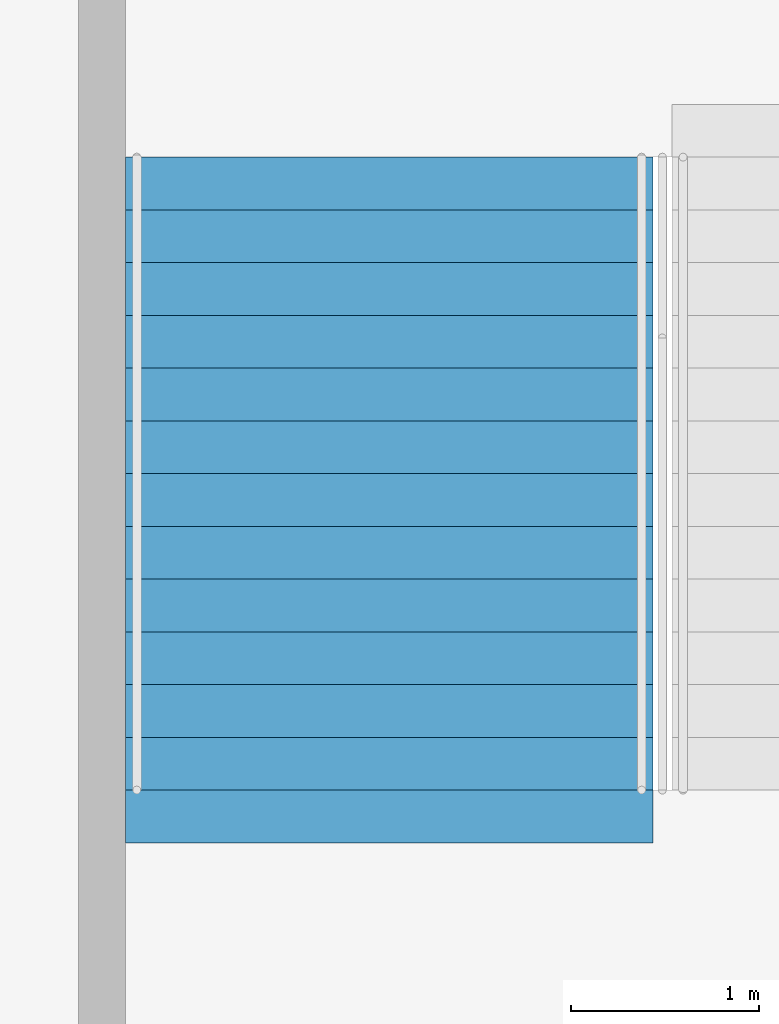
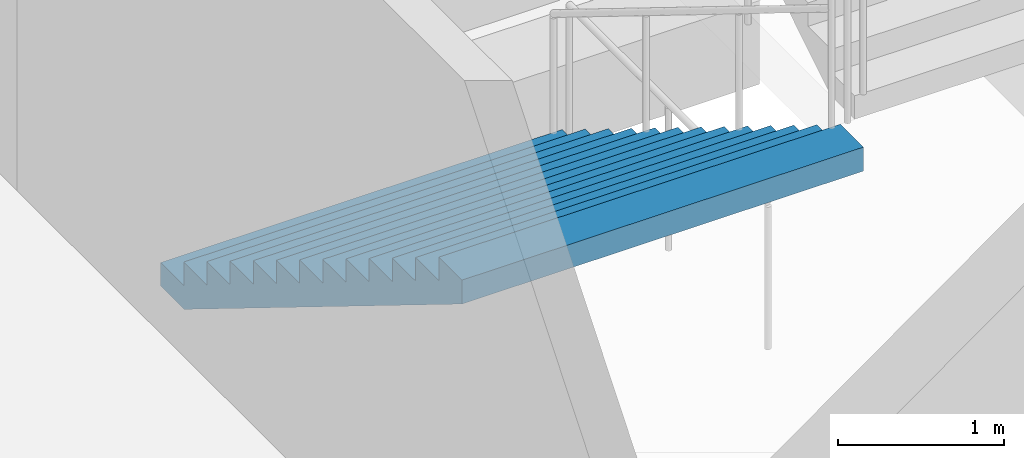
# One storey, part 89 of 177: 1 stair flight, 1 element without a shape of its own.
"""IFC4 building model written with IfcOpenShell, lengths in metres."""

from ifc_helpers import new_model, si_unit, direction, frame, origin, place, context, subcontext, project, spatial, faceted_brep, material, type_object, element, aggregate, save


model = new_model("IFC4")

# Units and contexts
model_context = context("Model", 3, precision=1e-05, world=origin(), true_north=direction((0.0, 1.0)))
body_context = subcontext(model_context, "Body", "Model", "MODEL_VIEW")
ifc_project = project(units=[si_unit("LENGTHUNIT", "METRE"), si_unit("AREAUNIT", "SQUARE_METRE"), si_unit("VOLUMEUNIT", "CUBIC_METRE"), si_unit("PLANEANGLEUNIT", "RADIAN"), si_unit("MASSUNIT", "GRAM", prefix="KILO")], contexts=[model_context])

# Site, building, storey
site_placement = place(None, origin())
site = spatial("IfcSite", under=ifc_project, at=site_placement, CompositionType="ELEMENT")
building_placement = place(site_placement, origin())
building = spatial("IfcBuilding", under=site, at=building_placement, Name="Ogive Plaza Stadium", CompositionType="ELEMENT")
storey_placement = place(building_placement, frame((0.0, 0.0, 18.0)))
storey = spatial("IfcBuildingStorey", under=building, at=storey_placement, Name="L04", CompositionType="ELEMENT", Elevation=18.0)

# Stair, stair flight
ifc_material_1 = material(Name="Concrete C40/50", Category="concrete")
stair_type = type_object("IfcStairType", Name="Exit stair", PredefinedType="STRAIGHT_RUN_STAIR", material=ifc_material_1)
stair_placement = place(storey_placement, origin())
stair = element("IfcStair", 1, at=stair_placement, inside=storey, type_object=stair_type, Name="Exit stair ST16A L04 to L05", PredefinedType="STRAIGHT_RUN_STAIR")
ifc_material_2 = material(Name="Concrete C40/50", Category="concrete")
stair_flight_type = type_object("IfcStairFlightType", Name="Exit stair flight", PredefinedType="STRAIGHT", material=ifc_material_2)
stair_flight_placement = place(storey_placement, frame((-24.824951171875, -94.85009765625, 0.0), z_axis=(0.0, 0.0, 1.0), x_axis=(0.0, -1.0, 0.0)))
stair_flight = element("IfcStairFlight", 2, at=stair_flight_placement, type_object=stair_flight_type, Name="ST16A flight 1", NumberOfRisers=13, NumberOfTreads=12, PredefinedType="STRAIGHT", RiserHeight=0.173076923, TreadLength=0.28, context=body_context, shape_type="Brep", body=[
    faceted_brep([(0.28515625, -1.39990234375, 0.0), (3.639892578125, -1.39990234375, 2.07373046875), (3.639892578125, -1.39990234375, 2.25), (3.360107421875, -1.39990234375, 2.25), (3.360107421875, -1.39990234375, 2.076904296875), (3.080078125, -1.39990234375, 2.076904296875), (3.080078125, -1.39990234375, 1.90380859375), (2.800048828125, -1.39990234375, 1.90380859375), (2.800048828125, -1.39990234375, 1.730712890625), (2.52001953125, -1.39990234375, 1.730712890625), (2.52001953125, -1.39990234375, 1.5576171875), (2.239990234375, -1.39990234375, 1.5576171875), (2.239990234375, -1.39990234375, 1.384521484375), (1.9599609375, -1.39990234375, 1.384521484375), (1.9599609375, -1.39990234375, 1.21142578125), (1.679931640625, -1.39990234375, 1.21142578125), (1.679931640625, -1.39990234375, 1.03857421875), (1.39990234375, -1.39990234375, 1.03857421875), (1.39990234375, -1.39990234375, 0.865478515625), (1.1201171875, -1.39990234375, 0.865478515625), (1.1201171875, -1.39990234375, 0.6923828125), (0.840087890625, -1.39990234375, 0.6923828125), (0.840087890625, -1.39990234375, 0.519287109375), (0.56005859375, -1.39990234375, 0.519287109375), (0.56005859375, -1.39990234375, 0.34619140625), (0.280029296875, -1.39990234375, 0.34619140625), (0.280029296875, -1.39990234375, 0.173095703125), (0.0, -1.39990234375, 0.173095703125), (0.0, -1.39990234375, 0.0), (0.0, 1.39990234375, 0.0), (0.0, 1.39990234375, 0.173095703125), (0.280029296875, 1.39990234375, 0.173095703125), (0.280029296875, 1.39990234375, 0.34619140625), (0.56005859375, 1.39990234375, 0.34619140625), (0.56005859375, 1.39990234375, 0.519287109375), (0.840087890625, 1.39990234375, 0.519287109375), (0.840087890625, 1.39990234375, 0.6923828125), (1.1201171875, 1.39990234375, 0.6923828125), (1.1201171875, 1.39990234375, 0.865478515625), (1.39990234375, 1.39990234375, 0.865478515625), (1.39990234375, 1.39990234375, 1.03857421875), (1.679931640625, 1.39990234375, 1.03857421875), (1.679931640625, 1.39990234375, 1.21142578125), (1.9599609375, 1.39990234375, 1.21142578125), (1.9599609375, 1.39990234375, 1.384521484375), (2.239990234375, 1.39990234375, 1.384521484375), (2.239990234375, 1.39990234375, 1.5576171875), (2.52001953125, 1.39990234375, 1.5576171875), (2.52001953125, 1.39990234375, 1.730712890625), (2.800048828125, 1.39990234375, 1.730712890625), (2.800048828125, 1.39990234375, 1.90380859375), (3.080078125, 1.39990234375, 1.90380859375), (3.080078125, 1.39990234375, 2.076904296875), (3.360107421875, 1.39990234375, 2.076904296875), (3.360107421875, 1.39990234375, 2.25), (3.639892578125, 1.39990234375, 2.25), (3.639892578125, 1.39990234375, 2.07373046875), (0.28515625, 1.39990234375, 0.0), (0.28515625, -1.0888671875, 0.0), (3.639892578125, -1.0888671875, 2.07373046875), (0.28515625, -0.77783203125, 0.0), (3.639892578125, -0.77783203125, 2.07373046875), (0.28515625, -0.466796875, 0.0), (3.639892578125, -0.466796875, 2.07373046875), (0.28515625, -0.155517578125, 0.0), (3.639892578125, -0.155517578125, 2.07373046875), (0.28515625, 0.155517578125, 0.0), (3.639892578125, 0.155517578125, 2.07373046875), (0.28515625, 0.466796875, 0.0), (3.639892578125, 0.466796875, 2.07373046875), (0.28515625, 0.77783203125, 0.0), (3.639892578125, 0.77783203125, 2.07373046875), (0.28515625, 1.0888671875, 0.0), (3.639892578125, 1.0888671875, 2.07373046875), (3.639892578125, -1.0888671875, 2.25), (3.639892578125, -0.77783203125, 2.25), (3.639892578125, -0.466796875, 2.25), (3.639892578125, -0.155517578125, 2.25), (3.639892578125, 0.155517578125, 2.25), (3.639892578125, 0.466796875, 2.25), (3.639892578125, 0.77783203125, 2.25), (3.639892578125, 1.0888671875, 2.25), (3.360107421875, -1.0888671875, 2.25), (3.360107421875, -0.77783203125, 2.25), (3.360107421875, -0.466796875, 2.25), (3.360107421875, -0.155517578125, 2.25), (3.360107421875, 0.155517578125, 2.25), (3.360107421875, 0.466796875, 2.25), (3.360107421875, 0.77783203125, 2.25), (3.360107421875, 1.0888671875, 2.25), (3.360107421875, -1.0888671875, 2.076904296875), (3.360107421875, -0.77783203125, 2.076904296875), (3.360107421875, -0.466796875, 2.076904296875), (3.360107421875, -0.155517578125, 2.076904296875), (3.360107421875, 0.155517578125, 2.076904296875), (3.360107421875, 0.466796875, 2.076904296875), (3.360107421875, 0.77783203125, 2.076904296875), (3.360107421875, 1.0888671875, 2.076904296875), (3.080078125, -1.0888671875, 2.076904296875), (3.080078125, -0.77783203125, 2.076904296875), (3.080078125, -0.466796875, 2.076904296875), (3.080078125, -0.155517578125, 2.076904296875), (3.080078125, 0.155517578125, 2.076904296875), (3.080078125, 0.466796875, 2.076904296875), (3.080078125, 0.77783203125, 2.076904296875), (3.080078125, 1.0888671875, 2.076904296875), (3.080078125, -1.0888671875, 1.90380859375), (3.080078125, -0.77783203125, 1.90380859375), (3.080078125, -0.466796875, 1.90380859375), (3.080078125, -0.155517578125, 1.90380859375), (3.080078125, 0.155517578125, 1.90380859375), (3.080078125, 0.466796875, 1.90380859375), (3.080078125, 0.77783203125, 1.90380859375), (3.080078125, 1.0888671875, 1.90380859375), (2.800048828125, -1.0888671875, 1.90380859375), (2.800048828125, -0.77783203125, 1.90380859375), (2.800048828125, -0.466796875, 1.90380859375), (2.800048828125, -0.155517578125, 1.90380859375), (2.800048828125, 0.155517578125, 1.90380859375), (2.800048828125, 0.466796875, 1.90380859375), (2.800048828125, 0.77783203125, 1.90380859375), (2.800048828125, 1.0888671875, 1.90380859375), (2.800048828125, -1.0888671875, 1.730712890625), (2.800048828125, -0.77783203125, 1.730712890625), (2.800048828125, -0.466796875, 1.730712890625), (2.800048828125, -0.155517578125, 1.730712890625), (2.800048828125, 0.155517578125, 1.730712890625), (2.800048828125, 0.466796875, 1.730712890625), (2.800048828125, 0.77783203125, 1.730712890625), (2.800048828125, 1.0888671875, 1.730712890625), (2.52001953125, -1.0888671875, 1.730712890625), (2.52001953125, -0.77783203125, 1.730712890625), (2.52001953125, -0.466796875, 1.730712890625), (2.52001953125, -0.155517578125, 1.730712890625), (2.52001953125, 0.155517578125, 1.730712890625), (2.52001953125, 0.466796875, 1.730712890625), (2.52001953125, 0.77783203125, 1.730712890625), (2.52001953125, 1.0888671875, 1.730712890625), (2.52001953125, -1.0888671875, 1.5576171875), (2.52001953125, -0.77783203125, 1.5576171875), (2.52001953125, -0.466796875, 1.5576171875), (2.52001953125, -0.155517578125, 1.5576171875), (2.52001953125, 0.155517578125, 1.5576171875), (2.52001953125, 0.466796875, 1.5576171875), (2.52001953125, 0.77783203125, 1.5576171875), (2.52001953125, 1.0888671875, 1.5576171875), (2.239990234375, -1.0888671875, 1.5576171875), (2.239990234375, -0.77783203125, 1.5576171875), (2.239990234375, -0.466796875, 1.5576171875), (2.239990234375, -0.155517578125, 1.5576171875), (2.239990234375, 0.155517578125, 1.5576171875), (2.239990234375, 0.466796875, 1.5576171875), (2.239990234375, 0.77783203125, 1.5576171875), (2.239990234375, 1.0888671875, 1.5576171875), (2.239990234375, -1.0888671875, 1.384521484375), (2.239990234375, -0.77783203125, 1.384521484375), (2.239990234375, -0.466796875, 1.384521484375), (2.239990234375, -0.155517578125, 1.384521484375), (2.239990234375, 0.155517578125, 1.384521484375), (2.239990234375, 0.466796875, 1.384521484375), (2.239990234375, 0.77783203125, 1.384521484375), (2.239990234375, 1.0888671875, 1.384521484375), (1.9599609375, -1.0888671875, 1.384521484375), (1.9599609375, -0.77783203125, 1.384521484375), (1.9599609375, -0.466796875, 1.384521484375), (1.9599609375, -0.155517578125, 1.384521484375), (1.9599609375, 0.155517578125, 1.384521484375), (1.9599609375, 0.466796875, 1.384521484375), (1.9599609375, 0.77783203125, 1.384521484375), (1.9599609375, 1.0888671875, 1.384521484375), (1.9599609375, -1.0888671875, 1.21142578125), (1.9599609375, -0.77783203125, 1.21142578125), (1.9599609375, -0.466796875, 1.21142578125), (1.9599609375, -0.155517578125, 1.21142578125), (1.9599609375, 0.155517578125, 1.21142578125), (1.9599609375, 0.466796875, 1.21142578125), (1.9599609375, 0.77783203125, 1.21142578125), (1.9599609375, 1.0888671875, 1.21142578125), (1.679931640625, -1.0888671875, 1.21142578125), (1.679931640625, -0.77783203125, 1.21142578125), (1.679931640625, -0.466796875, 1.21142578125), (1.679931640625, -0.155517578125, 1.21142578125), (1.679931640625, 0.155517578125, 1.21142578125), (1.679931640625, 0.466796875, 1.21142578125), (1.679931640625, 0.77783203125, 1.21142578125), (1.679931640625, 1.0888671875, 1.21142578125), (1.679931640625, -1.0888671875, 1.03857421875), (1.679931640625, -0.77783203125, 1.03857421875), (1.679931640625, -0.466796875, 1.03857421875), (1.679931640625, -0.155517578125, 1.03857421875), (1.679931640625, 0.155517578125, 1.03857421875), (1.679931640625, 0.466796875, 1.03857421875), (1.679931640625, 0.77783203125, 1.03857421875), (1.679931640625, 1.0888671875, 1.03857421875), (1.39990234375, -1.0888671875, 1.03857421875), (1.39990234375, -0.77783203125, 1.03857421875), (1.39990234375, -0.466796875, 1.03857421875), (1.39990234375, -0.155517578125, 1.03857421875), (1.39990234375, 0.155517578125, 1.03857421875), (1.39990234375, 0.466796875, 1.03857421875), (1.39990234375, 0.77783203125, 1.03857421875), (1.39990234375, 1.0888671875, 1.03857421875), (1.39990234375, -1.0888671875, 0.865478515625), (1.39990234375, -0.77783203125, 0.865478515625), (1.39990234375, -0.466796875, 0.865478515625), (1.39990234375, -0.155517578125, 0.865478515625), (1.39990234375, 0.155517578125, 0.865478515625), (1.39990234375, 0.466796875, 0.865478515625), (1.39990234375, 0.77783203125, 0.865478515625), (1.39990234375, 1.0888671875, 0.865478515625), (1.1201171875, -1.0888671875, 0.865478515625), (1.1201171875, -0.77783203125, 0.865478515625), (1.1201171875, -0.466796875, 0.865478515625), (1.1201171875, -0.155517578125, 0.865478515625), (1.1201171875, 0.155517578125, 0.865478515625), (1.1201171875, 0.466796875, 0.865478515625), (1.1201171875, 0.77783203125, 0.865478515625), (1.1201171875, 1.0888671875, 0.865478515625), (1.1201171875, -1.0888671875, 0.6923828125), (1.1201171875, -0.77783203125, 0.6923828125), (1.1201171875, -0.466796875, 0.6923828125), (1.1201171875, -0.155517578125, 0.6923828125), (1.1201171875, 0.155517578125, 0.6923828125), (1.1201171875, 0.466796875, 0.6923828125), (1.1201171875, 0.77783203125, 0.6923828125), (1.1201171875, 1.0888671875, 0.6923828125), (0.840087890625, -1.0888671875, 0.6923828125), (0.840087890625, -0.77783203125, 0.6923828125), (0.840087890625, -0.466796875, 0.6923828125), (0.840087890625, -0.155517578125, 0.6923828125), (0.840087890625, 0.155517578125, 0.6923828125), (0.840087890625, 0.466796875, 0.6923828125), (0.840087890625, 0.77783203125, 0.6923828125), (0.840087890625, 1.0888671875, 0.6923828125), (0.840087890625, -1.0888671875, 0.519287109375), (0.840087890625, -0.77783203125, 0.519287109375), (0.840087890625, -0.466796875, 0.519287109375), (0.840087890625, -0.155517578125, 0.519287109375), (0.840087890625, 0.155517578125, 0.519287109375), (0.840087890625, 0.466796875, 0.519287109375), (0.840087890625, 0.77783203125, 0.519287109375), (0.840087890625, 1.0888671875, 0.519287109375), (0.56005859375, -1.0888671875, 0.519287109375), (0.56005859375, -0.77783203125, 0.519287109375), (0.56005859375, -0.466796875, 0.519287109375), (0.56005859375, -0.155517578125, 0.519287109375), (0.56005859375, 0.155517578125, 0.519287109375), (0.56005859375, 0.466796875, 0.519287109375), (0.56005859375, 0.77783203125, 0.519287109375), (0.56005859375, 1.0888671875, 0.519287109375), (0.56005859375, -1.0888671875, 0.34619140625), (0.56005859375, -0.77783203125, 0.34619140625), (0.56005859375, -0.466796875, 0.34619140625), (0.56005859375, -0.155517578125, 0.34619140625), (0.56005859375, 0.155517578125, 0.34619140625), (0.56005859375, 0.466796875, 0.34619140625), (0.56005859375, 0.77783203125, 0.34619140625), (0.56005859375, 1.0888671875, 0.34619140625), (0.280029296875, -1.0888671875, 0.34619140625), (0.280029296875, -0.77783203125, 0.34619140625), (0.280029296875, -0.466796875, 0.34619140625), (0.280029296875, -0.155517578125, 0.34619140625), (0.280029296875, 0.155517578125, 0.34619140625), (0.280029296875, 0.466796875, 0.34619140625), (0.280029296875, 0.77783203125, 0.34619140625), (0.280029296875, 1.0888671875, 0.34619140625), (0.280029296875, -1.0888671875, 0.173095703125), (0.280029296875, -0.77783203125, 0.173095703125), (0.280029296875, -0.466796875, 0.173095703125), (0.280029296875, -0.155517578125, 0.173095703125), (0.280029296875, 0.155517578125, 0.173095703125), (0.280029296875, 0.466796875, 0.173095703125), (0.280029296875, 0.77783203125, 0.173095703125), (0.280029296875, 1.0888671875, 0.173095703125), (0.0, -1.0888671875, 0.173095703125), (0.0, -0.77783203125, 0.173095703125), (0.0, -0.466796875, 0.173095703125), (0.0, -0.155517578125, 0.173095703125), (0.0, 0.155517578125, 0.173095703125), (0.0, 0.466796875, 0.173095703125), (0.0, 0.77783203125, 0.173095703125), (0.0, 1.0888671875, 0.173095703125), (0.0, -1.0888671875, 0.0), (0.0, -0.77783203125, 0.0), (0.0, -0.466796875, 0.0), (0.0, -0.155517578125, 0.0), (0.0, 0.155517578125, 0.0), (0.0, 0.466796875, 0.0), (0.0, 0.77783203125, 0.0), (0.0, 1.0888671875, 0.0)], [[[0, 1, 2, 3, 4, 5, 6, 7, 8, 9, 10, 11, 12, 13, 14, 15, 16, 17, 18, 19, 20, 21, 22, 23, 24, 25, 26, 27, 28]], [[29, 30, 31, 32, 33, 34, 35, 36, 37, 38, 39, 40, 41, 42, 43, 44, 45, 46, 47, 48, 49, 50, 51, 52, 53, 54, 55, 56, 57]], [[0, 58, 59, 1]], [[58, 60, 61, 59]], [[60, 62, 63, 61]], [[62, 64, 65, 63]], [[64, 66, 67, 65]], [[66, 68, 69, 67]], [[68, 70, 71, 69]], [[70, 72, 73, 71]], [[72, 57, 56, 73]], [[1, 59, 74, 2]], [[59, 61, 75, 74]], [[61, 63, 76, 75]], [[63, 65, 77, 76]], [[65, 67, 78, 77]], [[67, 69, 79, 78]], [[69, 71, 80, 79]], [[71, 73, 81, 80]], [[73, 56, 55, 81]], [[2, 74, 82, 3]], [[74, 75, 83, 82]], [[75, 76, 84, 83]], [[76, 77, 85, 84]], [[77, 78, 86, 85]], [[78, 79, 87, 86]], [[79, 80, 88, 87]], [[80, 81, 89, 88]], [[81, 55, 54, 89]], [[3, 82, 90, 4]], [[82, 83, 91, 90]], [[83, 84, 92, 91]], [[84, 85, 93, 92]], [[85, 86, 94, 93]], [[86, 87, 95, 94]], [[87, 88, 96, 95]], [[88, 89, 97, 96]], [[89, 54, 53, 97]], [[4, 90, 98, 5]], [[90, 91, 99, 98]], [[91, 92, 100, 99]], [[92, 93, 101, 100]], [[93, 94, 102, 101]], [[94, 95, 103, 102]], [[95, 96, 104, 103]], [[96, 97, 105, 104]], [[97, 53, 52, 105]], [[5, 98, 106, 6]], [[98, 99, 107, 106]], [[99, 100, 108, 107]], [[100, 101, 109, 108]], [[101, 102, 110, 109]], [[102, 103, 111, 110]], [[103, 104, 112, 111]], [[104, 105, 113, 112]], [[105, 52, 51, 113]], [[6, 106, 114, 7]], [[106, 107, 115, 114]], [[107, 108, 116, 115]], [[108, 109, 117, 116]], [[109, 110, 118, 117]], [[110, 111, 119, 118]], [[111, 112, 120, 119]], [[112, 113, 121, 120]], [[113, 51, 50, 121]], [[7, 114, 122, 8]], [[114, 115, 123, 122]], [[115, 116, 124, 123]], [[116, 117, 125, 124]], [[117, 118, 126, 125]], [[118, 119, 127, 126]], [[119, 120, 128, 127]], [[120, 121, 129, 128]], [[121, 50, 49, 129]], [[8, 122, 130, 9]], [[122, 123, 131, 130]], [[123, 124, 132, 131]], [[124, 125, 133, 132]], [[125, 126, 134, 133]], [[126, 127, 135, 134]], [[127, 128, 136, 135]], [[128, 129, 137, 136]], [[129, 49, 48, 137]], [[9, 130, 138, 10]], [[130, 131, 139, 138]], [[131, 132, 140, 139]], [[132, 133, 141, 140]], [[133, 134, 142, 141]], [[134, 135, 143, 142]], [[135, 136, 144, 143]], [[136, 137, 145, 144]], [[137, 48, 47, 145]], [[10, 138, 146, 11]], [[138, 139, 147, 146]], [[139, 140, 148, 147]], [[140, 141, 149, 148]], [[141, 142, 150, 149]], [[142, 143, 151, 150]], [[143, 144, 152, 151]], [[144, 145, 153, 152]], [[145, 47, 46, 153]], [[11, 146, 154, 12]], [[146, 147, 155, 154]], [[147, 148, 156, 155]], [[148, 149, 157, 156]], [[149, 150, 158, 157]], [[150, 151, 159, 158]], [[151, 152, 160, 159]], [[152, 153, 161, 160]], [[153, 46, 45, 161]], [[12, 154, 162, 13]], [[154, 155, 163, 162]], [[155, 156, 164, 163]], [[156, 157, 165, 164]], [[157, 158, 166, 165]], [[158, 159, 167, 166]], [[159, 160, 168, 167]], [[160, 161, 169, 168]], [[161, 45, 44, 169]], [[13, 162, 170, 14]], [[162, 163, 171, 170]], [[163, 164, 172, 171]], [[164, 165, 173, 172]], [[165, 166, 174, 173]], [[166, 167, 175, 174]], [[167, 168, 176, 175]], [[168, 169, 177, 176]], [[169, 44, 43, 177]], [[14, 170, 178, 15]], [[170, 171, 179, 178]], [[171, 172, 180, 179]], [[172, 173, 181, 180]], [[173, 174, 182, 181]], [[174, 175, 183, 182]], [[175, 176, 184, 183]], [[176, 177, 185, 184]], [[177, 43, 42, 185]], [[15, 178, 186, 16]], [[178, 179, 187, 186]], [[179, 180, 188, 187]], [[180, 181, 189, 188]], [[181, 182, 190, 189]], [[182, 183, 191, 190]], [[183, 184, 192, 191]], [[184, 185, 193, 192]], [[185, 42, 41, 193]], [[16, 186, 194, 17]], [[186, 187, 195, 194]], [[187, 188, 196, 195]], [[188, 189, 197, 196]], [[189, 190, 198, 197]], [[190, 191, 199, 198]], [[191, 192, 200, 199]], [[192, 193, 201, 200]], [[193, 41, 40, 201]], [[17, 194, 202, 18]], [[194, 195, 203, 202]], [[195, 196, 204, 203]], [[196, 197, 205, 204]], [[197, 198, 206, 205]], [[198, 199, 207, 206]], [[199, 200, 208, 207]], [[200, 201, 209, 208]], [[201, 40, 39, 209]], [[18, 202, 210, 19]], [[202, 203, 211, 210]], [[203, 204, 212, 211]], [[204, 205, 213, 212]], [[205, 206, 214, 213]], [[206, 207, 215, 214]], [[207, 208, 216, 215]], [[208, 209, 217, 216]], [[209, 39, 38, 217]], [[19, 210, 218, 20]], [[210, 211, 219, 218]], [[211, 212, 220, 219]], [[212, 213, 221, 220]], [[213, 214, 222, 221]], [[214, 215, 223, 222]], [[215, 216, 224, 223]], [[216, 217, 225, 224]], [[217, 38, 37, 225]], [[20, 218, 226, 21]], [[218, 219, 227, 226]], [[219, 220, 228, 227]], [[220, 221, 229, 228]], [[221, 222, 230, 229]], [[222, 223, 231, 230]], [[223, 224, 232, 231]], [[224, 225, 233, 232]], [[225, 37, 36, 233]], [[21, 226, 234, 22]], [[226, 227, 235, 234]], [[227, 228, 236, 235]], [[228, 229, 237, 236]], [[229, 230, 238, 237]], [[230, 231, 239, 238]], [[231, 232, 240, 239]], [[232, 233, 241, 240]], [[233, 36, 35, 241]], [[22, 234, 242, 23]], [[234, 235, 243, 242]], [[235, 236, 244, 243]], [[236, 237, 245, 244]], [[237, 238, 246, 245]], [[238, 239, 247, 246]], [[239, 240, 248, 247]], [[240, 241, 249, 248]], [[241, 35, 34, 249]], [[23, 242, 250, 24]], [[242, 243, 251, 250]], [[243, 244, 252, 251]], [[244, 245, 253, 252]], [[245, 246, 254, 253]], [[246, 247, 255, 254]], [[247, 248, 256, 255]], [[248, 249, 257, 256]], [[249, 34, 33, 257]], [[24, 250, 258, 25]], [[250, 251, 259, 258]], [[251, 252, 260, 259]], [[252, 253, 261, 260]], [[253, 254, 262, 261]], [[254, 255, 263, 262]], [[255, 256, 264, 263]], [[256, 257, 265, 264]], [[257, 33, 32, 265]], [[25, 258, 266, 26]], [[258, 259, 267, 266]], [[259, 260, 268, 267]], [[260, 261, 269, 268]], [[261, 262, 270, 269]], [[262, 263, 271, 270]], [[263, 264, 272, 271]], [[264, 265, 273, 272]], [[265, 32, 31, 273]], [[26, 266, 274, 27]], [[266, 267, 275, 274]], [[267, 268, 276, 275]], [[268, 269, 277, 276]], [[269, 270, 278, 277]], [[270, 271, 279, 278]], [[271, 272, 280, 279]], [[272, 273, 281, 280]], [[273, 31, 30, 281]], [[27, 274, 282, 28]], [[274, 275, 283, 282]], [[275, 276, 284, 283]], [[276, 277, 285, 284]], [[277, 278, 286, 285]], [[278, 279, 287, 286]], [[279, 280, 288, 287]], [[280, 281, 289, 288]], [[281, 30, 29, 289]], [[28, 282, 58, 0]], [[282, 283, 60, 58]], [[283, 284, 62, 60]], [[284, 285, 64, 62]], [[285, 286, 66, 64]], [[286, 287, 68, 66]], [[287, 288, 70, 68]], [[288, 289, 72, 70]], [[289, 29, 57, 72]]]),
])
aggregate(stair, [stair_flight])

save(model, "model.ifc")
